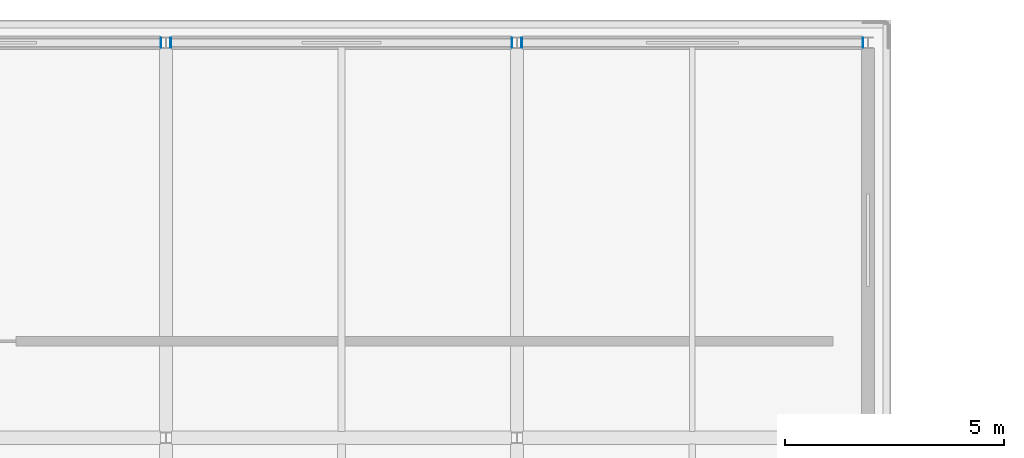
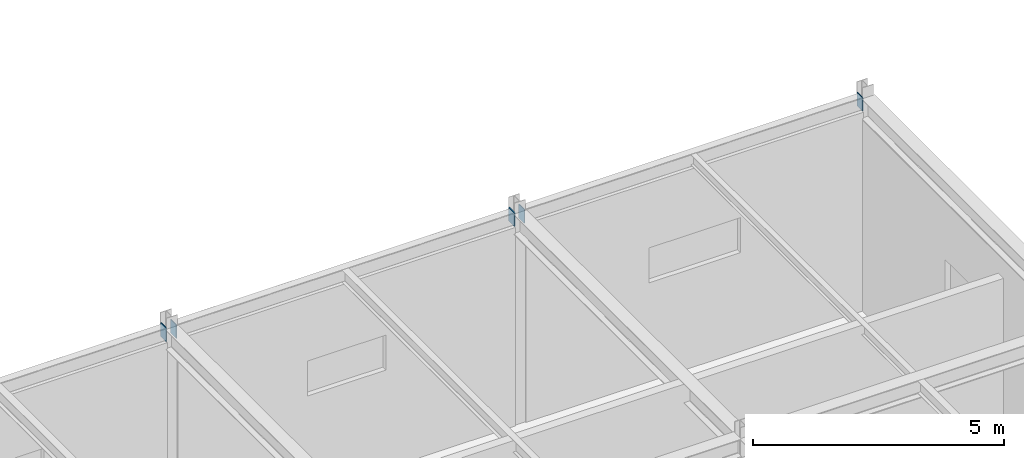
# One storey, part 146 of 184: 5 plates.
"""IFC4 building model written with IfcOpenShell, lengths in metres."""

from ifc_helpers import new_model, si_unit, direction, frame, origin, origin_2d, place, context, subcontext, project, spatial, rectangle, extrude, material, layer, layer_set, type_object, element, save


model = new_model("IFC4")

# Units and contexts
model_context = context("Model", 3, precision=1e-05, world=origin(), true_north=direction((0.0, 1.0)))
body_context = subcontext(model_context, "Body", "Model", "MODEL_VIEW")
ifc_project = project(units=[si_unit("LENGTHUNIT", "METRE"), si_unit("AREAUNIT", "SQUARE_METRE"), si_unit("VOLUMEUNIT", "CUBIC_METRE"), si_unit("PLANEANGLEUNIT", "RADIAN"), si_unit("MASSUNIT", "GRAM", prefix="KILO")], contexts=[model_context])

# Site, building, storey
site_placement = place(None, origin())
site = spatial("IfcSite", under=ifc_project, at=site_placement, CompositionType="ELEMENT")
building_placement = place(site_placement, origin())
building = spatial("IfcBuilding", under=site, at=building_placement, Name="Zhaolan Boulevard Law Courts", CompositionType="ELEMENT")
storey_placement = place(building_placement, frame((0.0, 0.0, 5.39990234375)))
storey = spatial("IfcBuildingStorey", under=building, at=storey_placement, Name="L01", CompositionType="ELEMENT", Elevation=5.39990234375)

# Plates
ifc_material = material(Name="Structural steel Q355B", Category="steel")
ifc_layer = layer(ifc_material, 0.02001953125)
ifc_layer_set = layer_set([ifc_layer])
plate_type = type_object("IfcPlateType", Name="END CAP PLATE 20", PredefinedType="SHEET", material=ifc_layer_set)
for number, where, z_axis, x_axis, name in (
    (1, (91.886962890625, 112.0, 4.822998046875), (0.0, 0.0, 1.0), (1.0, 0.0, 0.0), "Hollow Section End-Cap Plate ECP-0872"),
    (2, (92.113037109375, 112.0, 4.822998046875), (0.0, 0.0, 1.0), (1.0, 0.0, 0.0), "Hollow Section End-Cap Plate ECP-0873"),
    (3, (99.886962890625, 112.0, 4.822998046875), (0.0, 0.0, 1.0), (1.0, 0.0, 0.0), "Hollow Section End-Cap Plate ECP-0874"),
    (4, (100.113037109375, 112.0, 4.822998046875), (0.0, 0.0, 1.0), (1.0, 0.0, 0.0), "Hollow Section End-Cap Plate ECP-0875"),
    (5, (107.886962890625, 112.0, 4.822998046875), (0.0, 0.0, 1.0), (1.0, 0.0, 0.0), "Hollow Section End-Cap Plate ECP-0876"),
):
    element("IfcPlate", number, at=place(storey_placement, frame(where, z_axis=z_axis, x_axis=x_axis)), inside=storey, type_object=plate_type, Name=name, PredefinedType="SHEET", context=body_context, shape_type="SweptSolid", body=[
        extrude(rectangle(XDim=0.02001953125, YDim=0.22998046875, at=origin_2d()), origin(), (0.0, 0.0, 1.0), 0.330078125),
    ])

save(model, "model.ifc")
